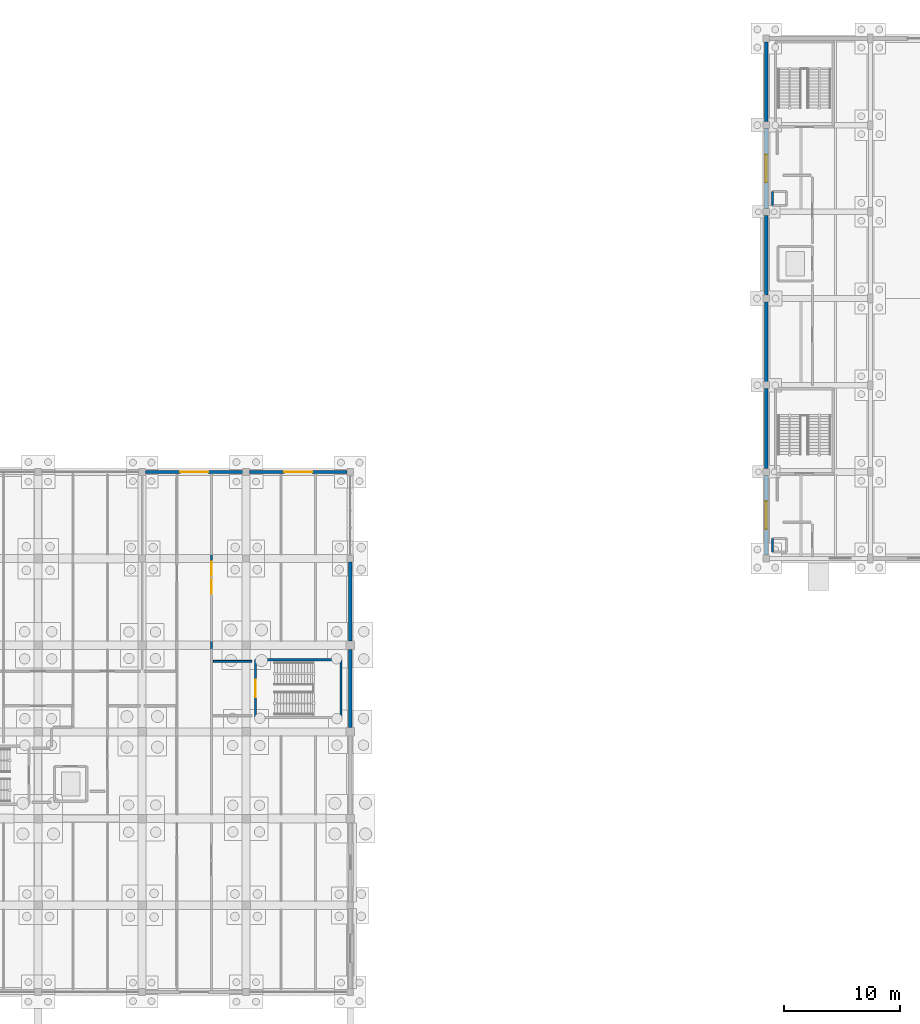
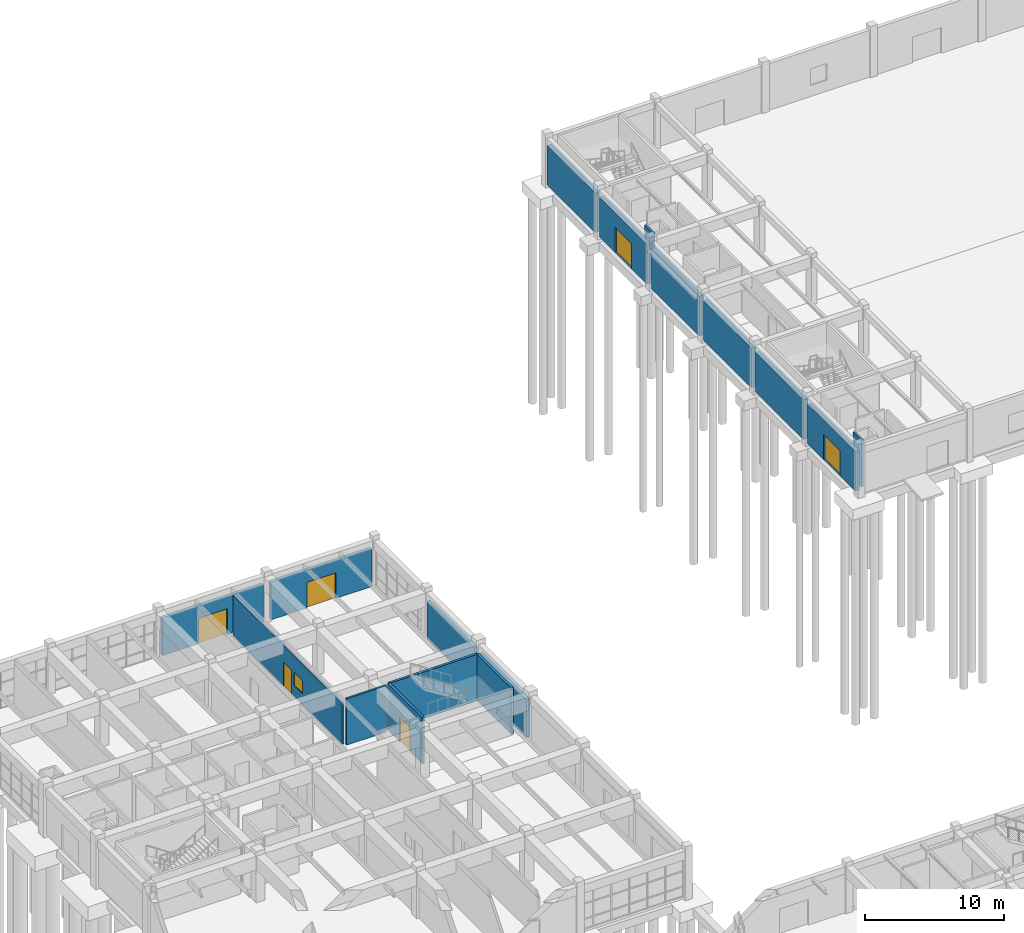
# One storey, part 86 of 93: 17 walls, 6 doors, 1 window, 7 openings.
"""IFC4 building model written with IfcOpenShell, lengths in metres."""

from ifc_helpers import new_model, si_unit, direction, frame, frame_2d, origin, place, context, subcontext, project, spatial, rectangle, extrude, material, layer, layer_set, type_object, element, fill, save


model = new_model("IFC4")

# Units and contexts
model_context = context("Model", 3, precision=1e-05, world=origin(), true_north=direction((0.0, 1.0)))
body_context = subcontext(model_context, "Body", "Model", "MODEL_VIEW")
ifc_project = project(units=[si_unit("LENGTHUNIT", "METRE"), si_unit("AREAUNIT", "SQUARE_METRE"), si_unit("VOLUMEUNIT", "CUBIC_METRE"), si_unit("PLANEANGLEUNIT", "RADIAN"), si_unit("MASSUNIT", "GRAM", prefix="KILO")], contexts=[model_context])

# Site, building, storey
site_placement = place(None, origin())
site = spatial("IfcSite", under=ifc_project, at=site_placement, CompositionType="ELEMENT")
building_placement = place(site_placement, origin())
building = spatial("IfcBuilding", under=site, at=building_placement, Name="Marnridge Secondary College", CompositionType="ELEMENT")
storey_placement = place(building_placement, origin())
storey = spatial("IfcBuildingStorey", under=building, at=storey_placement, Name="L00", CompositionType="ELEMENT", Elevation=0.0)

# Walls
ifc_material_1 = material(Name="Concrete C40/50 (AS 3600 N40, 40 MPa)", Category="concrete")
ifc_layer_1 = layer(ifc_material_1, 0.199951171875)
ifc_layer_set_1 = layer_set([ifc_layer_1], Name="WT-CORE-RC200")
wall_type_1 = type_object("IfcWallType", Name="WT-CORE-RC200", PredefinedType="SHEAR", material=ifc_layer_set_1)
wall_1_placement = place(storey_placement, frame((89.199951171875, 61.25, 0.0), z_axis=(0.0, 0.0, 1.0), x_axis=(0.0, 1.0, 0.0)))
element("IfcWall", 1, at=wall_1_placement, inside=storey, type_object=wall_type_1, Name="Stair core shear wall WC-L00-0274", PredefinedType="SHEAR", context=body_context, shape_type="SweptSolid", body=[
    extrude(rectangle(XDim=5.0, YDim=0.199951171875, at=frame_2d((2.5, 0.0))), origin(), (0.0, 0.0, 1.0), 4.080078125),
])
wall_2_placement = place(storey_placement, frame((89.199951171875, 66.25, 0.0), z_axis=(0.0, 0.0, 1.0), x_axis=(-1.0, 0.0, 0.0)))
element("IfcWall", 2, at=wall_2_placement, inside=storey, type_object=wall_type_1, Name="Stair core shear wall WC-L00-0275", PredefinedType="SHEAR", context=body_context, shape_type="SweptSolid", body=[
    extrude(rectangle(XDim=7.39990234375, YDim=0.199951171875, at=frame_2d((3.699951171875, 0.0))), origin(), (0.0, 0.0, 1.0), 4.080078125),
])

# Wall, opening, door
wall_3_placement = place(storey_placement, frame((81.800048828125, 61.25, 0.0), z_axis=(0.0, 0.0, 1.0), x_axis=(0.0, 1.0, 0.0)))
wall_3 = element("IfcWall", 3, at=wall_3_placement, inside=storey, type_object=wall_type_1, Name="Stair core shear wall WC-L00-0276", PredefinedType="SHEAR", context=body_context, shape_type="SweptSolid", body=[
    extrude(rectangle(XDim=5.0, YDim=0.199951171875, at=frame_2d((2.5, 0.0))), origin(), (0.0, 0.0, 1.0), 4.080078125),
])
opening_1_placement = place(wall_3_placement, frame((1.75, 0.0, 0.0)))
opening_1 = element("IfcOpeningElement", 4, at=opening_1_placement, cuts=wall_3, Name="Opening DC-L00-007", PredefinedType="OPENING", context=body_context, shape_type="SweptSolid", body=[
    extrude(rectangle(XDim=1.5, YDim=2.14990234375, at=frame_2d((0.75, 1.074951171875))), frame((0.0, 0.10986328125, 0.0), z_axis=(0.0, -1.0, 0.0), x_axis=(1.0, 0.0, 0.0)), (0.0, 0.0, 1.0), 0.219970703125),
])
ifc_material_2 = material(Name="Fire-rated solid-core timber doorset", Category="wood")
door_type_1 = type_object("IfcDoorType", Name="DT-CORE-FD150", OperationType="DOUBLE_DOOR_SINGLE_SWING", PredefinedType="DOOR", material=ifc_material_2)
door_1_placement = place(opening_1_placement, origin())
door_1 = element("IfcDoor", 5, at=door_1_placement, inside=storey, type_object=door_type_1, Name="Fire stair door DC-L00-007", OperationType="DOUBLE_DOOR_SINGLE_SWING", OverallHeight=2.14990234375, OverallWidth=1.5, PredefinedType="DOOR", context=body_context, shape_type="SweptSolid", body=[
    extrude(rectangle(XDim=1.5, YDim=2.14990234375, at=frame_2d((0.75, 1.074951171875))), frame((0.0, 0.02490234375, 0.0), z_axis=(0.0, -1.0, 0.0), x_axis=(1.0, 0.0, 0.0)), (0.0, 0.0, 1.0), 0.050048828125),
])
fill(opening_1, door_1)

ifc_material_3 = material(Name="Concrete C40/50 (AS 3600 N40, 40 MPa)", Category="concrete")
ifc_layer_2 = layer(ifc_material_3, 0.280029296875)
ifc_layer_set_2 = layer_set([ifc_layer_2], Name="WT-EXT-RC280")
wall_type_2 = type_object("IfcWallType", Name="WT-EXT-RC280", PredefinedType="SOLIDWALL", material=ifc_layer_set_2)
wall_4_placement = place(storey_placement, frame((72.2958984375, 82.5, 0.0), z_axis=(0.0, 0.0, 1.0), x_axis=(1.0, 0.0, 0.0)))
wall_4 = element("IfcWall", 6, at=wall_4_placement, inside=storey, type_object=wall_type_2, Name="Exterior wall WE-L00-0001", PredefinedType="SOLIDWALL", context=body_context, shape_type="SweptSolid", body=[
    extrude(rectangle(XDim=8.408203125, YDim=0.280029296875, at=frame_2d((4.2041015625, 0.0))), origin(), (0.0, 0.0, 1.0), 3.322021484375),
])
opening_2_placement = place(wall_4_placement, frame((3.00390625, 0.0, 0.0)))
opening_2 = element("IfcOpeningElement", 7, at=opening_2_placement, cuts=wall_4, Name="Opening DE-L00-001", PredefinedType="OPENING", context=body_context, shape_type="SweptSolid", body=[
    extrude(rectangle(XDim=2.39990234375, YDim=2.25, at=frame_2d((1.199951171875, 1.125))), frame((0.0, 0.14990234375, 0.0), z_axis=(0.0, -1.0, 0.0), x_axis=(1.0, 0.0, 0.0)), (0.0, 0.0, 1.0), 0.300048828125),
])
ifc_material_4 = material(Name="Thermally broken aluminium and toughened glass", Category="aluminium")
door_type_2 = type_object("IfcDoorType", Name="DT-EXT-EXIT240", OperationType="DOUBLE_DOOR_SINGLE_SWING", PredefinedType="DOOR", material=ifc_material_4)
door_2_placement = place(opening_2_placement, origin())
door_2 = element("IfcDoor", 8, at=door_2_placement, inside=storey, type_object=door_type_2, Name="Civic entrance exit door DE-L00-001", OperationType="DOUBLE_DOOR_SINGLE_SWING", OverallHeight=2.25, OverallWidth=2.39990234375, PredefinedType="DOOR", context=body_context, shape_type="SweptSolid", body=[
    extrude(rectangle(XDim=2.39990234375, YDim=2.25, at=frame_2d((1.199951171875, 1.125))), frame((0.0, 0.02490234375, 0.0), z_axis=(0.0, -1.0, 0.0), x_axis=(1.0, 0.0, 0.0)), (0.0, 0.0, 1.0), 0.050048828125),
])
fill(opening_2, door_2)

wall_5_placement = place(storey_placement, frame((81.2958984375, 82.5, 0.0), z_axis=(0.0, 0.0, 1.0), x_axis=(1.0, 0.0, 0.0)))
wall_5 = element("IfcWall", 9, at=wall_5_placement, inside=storey, type_object=wall_type_2, Name="Exterior wall WE-L00-0002", PredefinedType="SOLIDWALL", context=body_context, shape_type="SweptSolid", body=[
    extrude(rectangle(XDim=8.408203125, YDim=0.280029296875, at=frame_2d((4.2041015625, 0.0))), origin(), (0.0, 0.0, 1.0), 3.322021484375),
])
opening_3_placement = place(wall_5_placement, frame((3.00390625, 0.0, 0.0)))
opening_3 = element("IfcOpeningElement", 10, at=opening_3_placement, cuts=wall_5, Name="Opening DE-L00-002", PredefinedType="OPENING", context=body_context, shape_type="SweptSolid", body=[
    extrude(rectangle(XDim=2.39990234375, YDim=2.25, at=frame_2d((1.199951171875, 1.125))), frame((0.0, 0.14990234375, 0.0), z_axis=(0.0, -1.0, 0.0), x_axis=(1.0, 0.0, 0.0)), (0.0, 0.0, 1.0), 0.300048828125),
])
door_3_placement = place(opening_3_placement, origin())
door_3 = element("IfcDoor", 11, at=door_3_placement, inside=storey, type_object=door_type_2, Name="Civic entrance exit door DE-L00-002", OperationType="DOUBLE_DOOR_SINGLE_SWING", OverallHeight=2.25, OverallWidth=2.39990234375, PredefinedType="DOOR", context=body_context, shape_type="SweptSolid", body=[
    extrude(rectangle(XDim=2.39990234375, YDim=2.25, at=frame_2d((1.199951171875, 1.125))), frame((0.0, 0.02490234375, 0.0), z_axis=(0.0, -1.0, 0.0), x_axis=(1.0, 0.0, 0.0)), (0.0, 0.0, 1.0), 0.050048828125),
])
fill(opening_3, door_3)

# Walls
wall_6_placement = place(storey_placement, frame((90.0, 74.7041015625, 0.0), z_axis=(0.0, 0.0, 1.0), x_axis=(0.0, -1.0, 0.0)))
element("IfcWall", 12, at=wall_6_placement, inside=storey, type_object=wall_type_2, Name="Exterior wall WE-L00-0003", PredefinedType="SOLIDWALL", context=body_context, shape_type="SweptSolid", body=[
    extrude(rectangle(XDim=6.8330078125, YDim=0.280029296875, at=frame_2d((3.41650390625, 0.0))), origin(), (0.0, 0.0, 1.0), 3.322021484375),
])
wall_7_placement = place(storey_placement, frame((90.0, 67.12890625, 0.0), z_axis=(0.0, 0.0, 1.0), x_axis=(0.0, -1.0, 0.0)))
element("IfcWall", 13, at=wall_7_placement, inside=storey, type_object=wall_type_2, Name="Exterior wall WE-L00-0004", PredefinedType="SOLIDWALL", context=body_context, shape_type="SweptSolid", body=[
    extrude(rectangle(XDim=6.7578125, YDim=0.280029296875, at=frame_2d((3.37890625, 0.0))), origin(), (0.0, 0.0, 1.0), 3.322021484375),
])

# Wall, opening, door
ifc_material_5 = material(Name="Concrete C40/50 (AS 3600 N40, 40 MPa)", Category="concrete")
ifc_layer_3 = layer(ifc_material_5, 0.320068359375)
ifc_layer_set_3 = layer_set([ifc_layer_3], Name="WT-EXT-RC320")
wall_type_3 = type_object("IfcWallType", Name="WT-EXT-RC320", PredefinedType="SOLIDWALL", material=ifc_layer_set_3)
wall_8_placement = place(storey_placement, frame((126.0, 75.2958984375, 0.0), z_axis=(0.0, 0.0, 1.0), x_axis=(0.0, 1.0, 0.0)))
wall_8 = element("IfcWall", 14, at=wall_8_placement, inside=storey, type_object=wall_type_3, Name="Exterior wall WE-L00-0029", PredefinedType="SOLIDWALL", context=body_context, shape_type="SweptSolid", body=[
    extrude(rectangle(XDim=6.908203125, YDim=0.320068359375, at=frame_2d((3.4541015625, 0.0))), origin(), (0.0, 0.0, 1.0), 3.491943359375),
])
opening_4_placement = place(wall_8_placement, frame((2.25390625, 0.0, 0.0)))
opening_4 = element("IfcOpeningElement", 15, at=opening_4_placement, cuts=wall_8, Name="Opening DE-L00-010", PredefinedType="OPENING", context=body_context, shape_type="SweptSolid", body=[
    extrude(rectangle(XDim=2.39990234375, YDim=2.199951171875, at=frame_2d((1.199951171875, 1.10009765625))), frame((0.0, 0.169921875, 0.0), z_axis=(0.0, -1.0, 0.0), x_axis=(1.0, 0.0, 0.0)), (0.0, 0.0, 1.0), 0.340087890625),
])
ifc_material_6 = material(Name="Galvanised steel Grade 350 fire-exit doorset", Category="steel")
door_type_3 = type_object("IfcDoorType", Name="DT-EXT-STAIR240", OperationType="DOUBLE_DOOR_SINGLE_SWING", PredefinedType="DOOR", material=ifc_material_6)
door_4_placement = place(opening_4_placement, origin())
door_4 = element("IfcDoor", 16, at=door_4_placement, inside=storey, type_object=door_type_3, Name="Final exit stair door DE-L00-010", OperationType="DOUBLE_DOOR_SINGLE_SWING", OverallHeight=2.199951171875, OverallWidth=2.39990234375, PredefinedType="DOOR", context=body_context, shape_type="SweptSolid", body=[
    extrude(rectangle(XDim=2.39990234375, YDim=2.199951171875, at=frame_2d((1.199951171875, 1.10009765625))), frame((0.0, 0.02490234375, 0.0), z_axis=(0.0, -1.0, 0.0), x_axis=(1.0, 0.0, 0.0)), (0.0, 0.0, 1.0), 0.050048828125),
])
fill(opening_4, door_4)

# Walls
for number, where, z_axis, x_axis, name in (
    (17, (126.0, 82.7958984375, 0.0), (0.0, 0.0, 1.0), (0.0, 1.0, 0.0), "Exterior wall WE-L00-0030"),
    (18, (126.0, 90.2958984375, 0.0), (0.0, 0.0, 1.0), (0.0, 1.0, 0.0), "Exterior wall WE-L00-0031"),
    (19, (126.0, 97.7958984375, 0.0), (0.0, 0.0, 1.0), (0.0, 1.0, 0.0), "Exterior wall WE-L00-0032"),
):
    element("IfcWall", number, at=place(storey_placement, frame(where, z_axis=z_axis, x_axis=x_axis)), inside=storey, type_object=wall_type_3, Name=name, PredefinedType="SOLIDWALL", context=body_context, shape_type="SweptSolid", body=[
        extrude(rectangle(XDim=6.908203125, YDim=0.320068359375, at=frame_2d((3.4541015625, 0.0))), origin(), (0.0, 0.0, 1.0), 3.491943359375),
    ])

# Wall, opening, door
wall_9_placement = place(storey_placement, frame((126.0, 105.2958984375, 0.0), z_axis=(0.0, 0.0, 1.0), x_axis=(0.0, 1.0, 0.0)))
wall_9 = element("IfcWall", 20, at=wall_9_placement, inside=storey, type_object=wall_type_3, Name="Exterior wall WE-L00-0033", PredefinedType="SOLIDWALL", context=body_context, shape_type="SweptSolid", body=[
    extrude(rectangle(XDim=6.908203125, YDim=0.320068359375, at=frame_2d((3.4541015625, 0.0))), origin(), (0.0, 0.0, 1.0), 3.491943359375),
])
opening_5_placement = place(wall_9_placement, frame((2.25390625, 0.0, 0.0)))
opening_5 = element("IfcOpeningElement", 21, at=opening_5_placement, cuts=wall_9, Name="Opening DE-L00-011", PredefinedType="OPENING", context=body_context, shape_type="SweptSolid", body=[
    extrude(rectangle(XDim=2.39990234375, YDim=2.199951171875, at=frame_2d((1.199951171875, 1.10009765625))), frame((0.0, 0.169921875, 0.0), z_axis=(0.0, -1.0, 0.0), x_axis=(1.0, 0.0, 0.0)), (0.0, 0.0, 1.0), 0.340087890625),
])
door_5_placement = place(opening_5_placement, origin())
door_5 = element("IfcDoor", 22, at=door_5_placement, inside=storey, type_object=door_type_3, Name="Final exit stair door DE-L00-011", OperationType="DOUBLE_DOOR_SINGLE_SWING", OverallHeight=2.199951171875, OverallWidth=2.39990234375, PredefinedType="DOOR", context=body_context, shape_type="SweptSolid", body=[
    extrude(rectangle(XDim=2.39990234375, YDim=2.199951171875, at=frame_2d((1.199951171875, 1.10009765625))), frame((0.0, 0.02490234375, 0.0), z_axis=(0.0, -1.0, 0.0), x_axis=(1.0, 0.0, 0.0)), (0.0, 0.0, 1.0), 0.050048828125),
])
fill(opening_5, door_5)

# Wall
wall_10_placement = place(storey_placement, frame((126.0, 112.7958984375, 0.0), z_axis=(0.0, 0.0, 1.0), x_axis=(0.0, 1.0, 0.0)))
element("IfcWall", 23, at=wall_10_placement, inside=storey, type_object=wall_type_3, Name="Exterior wall WE-L00-0034", PredefinedType="SOLIDWALL", context=body_context, shape_type="SweptSolid", body=[
    extrude(rectangle(XDim=6.908203125, YDim=0.320068359375, at=frame_2d((3.4541015625, 0.0))), origin(), (0.0, 0.0, 1.0), 3.491943359375),
])

# Wall, openings, door, window
ifc_material_7 = material(Name="Acoustic plasterboard on twin steel Grade 350 framing Rw55", Category="steel")
ifc_layer_4 = layer(ifc_material_7, 0.1650390625)
ifc_layer_set_4 = layer_set([ifc_layer_4], Name="WT-PART-AC165")
wall_type_4 = type_object("IfcWallType", Name="WT-PART-AC165", PredefinedType="PARTITIONING", material=ifc_layer_set_4)
wall_11_placement = place(storey_placement, frame((78.0, 81.956787109375, 0.0), z_axis=(0.0, 0.0, 1.0), x_axis=(0.0, -1.0, 0.0)))
wall_11 = element("IfcWall", 24, at=wall_11_placement, inside=storey, type_object=wall_type_4, Name="Interior partition WP-L00-0025", PredefinedType="PARTITIONING", context=body_context, shape_type="SweptSolid", body=[
    extrude(rectangle(XDim=15.69677734375, YDim=0.1650390625, at=frame_2d((7.848388671875, 0.0))), origin(), (0.0, 0.0, 1.0), 3.6220703125),
])
opening_6_placement = place(wall_11_placement, frame((7.24853515625, 0.0, 0.0)))
opening_6 = element("IfcOpeningElement", 25, at=opening_6_placement, cuts=wall_11, Name="Opening DI-L00-0010", PredefinedType="OPENING", context=body_context, shape_type="SweptSolid", body=[
    extrude(rectangle(XDim=1.199951171875, YDim=2.14990234375, at=frame_2d((0.60009765625, 1.074951171875))), frame((0.0, 0.092529296875, 0.0), z_axis=(0.0, -1.0, 0.0), x_axis=(1.0, 0.0, 0.0)), (0.0, 0.0, 1.0), 0.18505859375),
])
opening_7_placement = place(wall_11_placement, frame((8.798583984375, 0.0, 1.02001953125)))
opening_7 = element("IfcOpeningElement", 26, at=opening_7_placement, cuts=wall_11, Name="Opening WNI-L00-004", PredefinedType="OPENING", context=body_context, shape_type="SweptSolid", body=[
    extrude(rectangle(XDim=1.199951171875, YDim=1.14990234375, at=frame_2d((0.60009765625, 0.574951171875))), frame((0.0, 0.092529296875, 0.0), z_axis=(0.0, -1.0, 0.0), x_axis=(1.0, 0.0, 0.0)), (0.0, 0.0, 1.0), 0.18505859375),
])
ifc_material_8 = material(Name="Galvanised steel Grade 350 plant-room fire doorset", Category="steel")
door_type_4 = type_object("IfcDoorType", Name="DT-PLT-120", OperationType="NOTDEFINED", PredefinedType="DOOR", material=ifc_material_8)
door_6_placement = place(opening_6_placement, origin())
door_6 = element("IfcDoor", 27, at=door_6_placement, inside=storey, type_object=door_type_4, Name="Interior door DI-L00-0010", OperationType="SINGLE_SWING_RIGHT", OverallHeight=2.14990234375, OverallWidth=1.199951171875, PredefinedType="DOOR", context=body_context, shape_type="SweptSolid", body=[
    extrude(rectangle(XDim=1.199951171875, YDim=2.14990234375, at=frame_2d((0.60009765625, 1.074951171875))), frame((0.0, 0.02490234375, 0.0), z_axis=(0.0, -1.0, 0.0), x_axis=(1.0, 0.0, 0.0)), (0.0, 0.0, 1.0), 0.050048828125),
])
fill(opening_6, door_6)
ifc_material_9 = material(Name="Acoustic laminated interior vision glazing", Category="glass")
window_type = type_object("IfcWindowType", Name="WN-BL-VAR04", PartitioningType="DOUBLE_PANEL_VERTICAL", PredefinedType="WINDOW", material=ifc_material_9)
window_placement = place(opening_7_placement, origin())
window = element("IfcWindow", 28, at=window_placement, inside=storey, type_object=window_type, Name="Interior vision window WNI-L00-004", OverallHeight=1.14990234375, OverallWidth=1.199951171875, PartitioningType="DOUBLE_PANEL_VERTICAL", PredefinedType="WINDOW", context=body_context, shape_type="SweptSolid", body=[
    extrude(rectangle(XDim=1.199951171875, YDim=1.14990234375, at=frame_2d((0.60009765625, 0.574951171875))), frame((0.0, 0.030029296875, 0.0), z_axis=(0.0, -1.0, 0.0), x_axis=(1.0, 0.0, 0.0)), (0.0, 0.0, 1.0), 0.06005859375),
])
fill(opening_7, window)

# Walls
wall_12_placement = place(storey_placement, frame((78.159912109375, 66.10009765625, 0.0), z_axis=(0.0, 0.0, 1.0), x_axis=(1.0, 0.0, 0.0)))
element("IfcWall", 29, at=wall_12_placement, inside=storey, type_object=wall_type_4, Name="Interior partition WP-L00-0026", PredefinedType="PARTITIONING", context=body_context, shape_type="SweptSolid", body=[
    extrude(rectangle(XDim=3.340087890625, YDim=0.1650390625, at=frame_2d((1.669921875, 0.0))), origin(), (0.0, 0.0, 1.0), 4.080078125),
])
ifc_material_10 = material(Name="Concrete C40/50 (AS 3600 N40, 40 MPa)", Category="concrete")
ifc_layer_5 = layer(ifc_material_10, 0.179931640625)
ifc_layer_set_5 = layer_set([ifc_layer_5], Name="WT-SHAFT-RC180")
wall_type_5 = type_object("IfcWallType", Name="WT-SHAFT-RC180", PredefinedType="SHEAR", material=ifc_layer_set_5)
for number, where, z_axis, x_axis, name in (
    (30, (126.550048828125, 75.550048828125, 0.0), (0.0, 0.0, 1.0), (0.0, 1.0, 0.0), "Service riser shaft wall WR-L00-0014"),
    (31, (126.550048828125, 105.550048828125, 0.0), (0.0, 0.0, 1.0), (0.0, 1.0, 0.0), "Service riser shaft wall WR-L00-0018"),
):
    element("IfcWall", number, at=place(storey_placement, frame(where, z_axis=z_axis, x_axis=x_axis)), inside=storey, type_object=wall_type_5, Name=name, PredefinedType="SHEAR", context=body_context, shape_type="SweptSolid", body=[
        extrude(rectangle(XDim=1.199951171875, YDim=0.179931640625, at=frame_2d((0.60009765625, 0.0))), origin(), (0.0, 0.0, 1.0), 4.10009765625),
    ])

save(model, "model.ifc")
